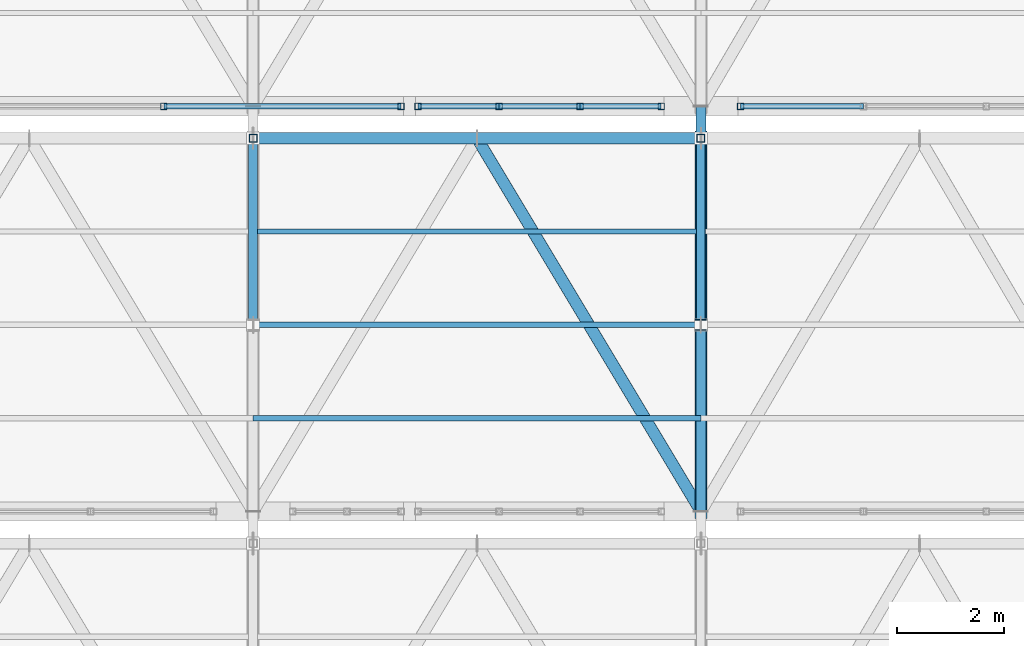
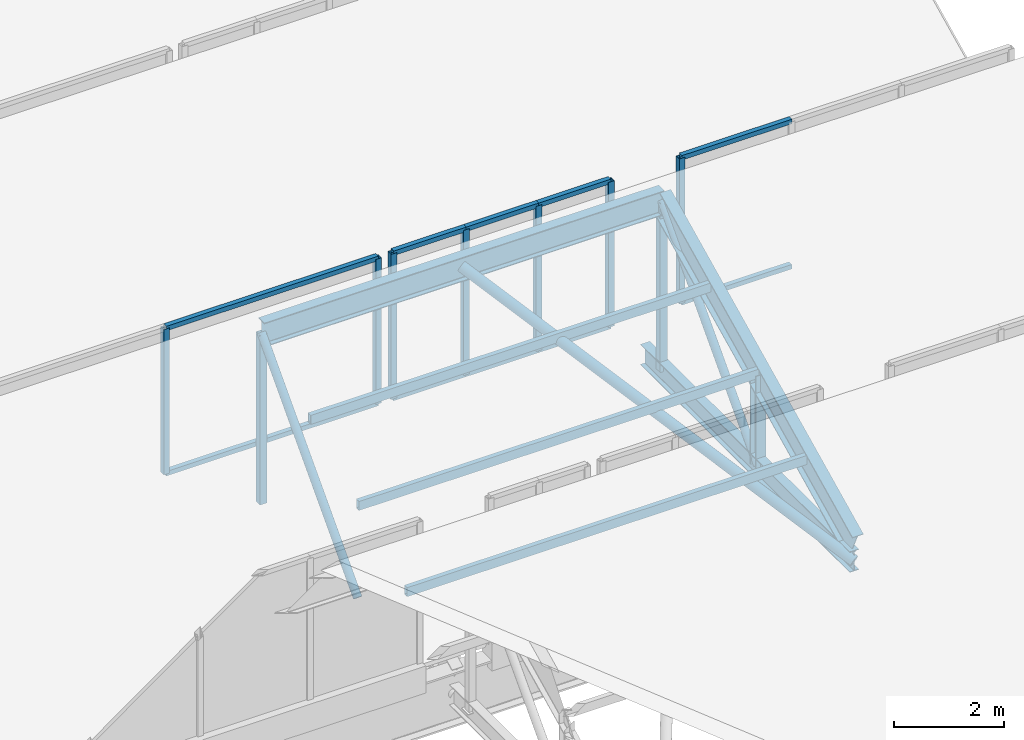
# One storey, part 26 of 57: 29 members, 3 elements without a shape of their own.
"""IFC4 building model written with IfcOpenShell, lengths in metres."""

from ifc_helpers import new_model, si_unit, direction, frame, origin, origin_2d, place, context, subcontext, project, spatial, hollow_rectangle, hollow_circle, i_section, extrude, material, material_profile, profile_set, type_object, element, aggregate, save


model = new_model("IFC4")

# Units and contexts
model_context = context("Model", 3, precision=1e-05, world=origin(), true_north=direction((0.0, 1.0)))
body_context = subcontext(model_context, "Body", "Model", "MODEL_VIEW")
ifc_project = project(units=[si_unit("LENGTHUNIT", "METRE"), si_unit("AREAUNIT", "SQUARE_METRE"), si_unit("VOLUMEUNIT", "CUBIC_METRE"), si_unit("PLANEANGLEUNIT", "RADIAN"), si_unit("MASSUNIT", "GRAM", prefix="KILO")], contexts=[model_context])

# Site, building, storey
site_placement = place(None, origin())
site = spatial("IfcSite", under=ifc_project, at=site_placement, CompositionType="ELEMENT")
building_placement = place(site_placement, origin())
building = spatial("IfcBuilding", under=site, at=building_placement, Name="Zuvorla Pavilion Media Centre", CompositionType="ELEMENT")
storey_placement = place(building_placement, frame((0.0, 0.0, 18.0)))
storey = spatial("IfcBuildingStorey", under=building, at=storey_placement, Name="L04", CompositionType="ELEMENT", Elevation=18.0)

# Curtain wall, members
ifc_material_1 = material(Name="Unitised anodised aluminium and solar glass curtain wall", Category="aluminium")
curtain_wall_type_1 = type_object("IfcCurtainWallType", Name="CW-SYS-95", PredefinedType="USERDEFINED", material=ifc_material_1)
curtain_wall_1_placement = place(storey_placement, origin())
curtain_wall_1 = element("IfcCurtainWall", 1, at=curtain_wall_1_placement, inside=storey, type_object=curtain_wall_type_1, Name="L04 curtain wall CW95 232", ObjectType="CURTAIN WALL", PredefinedType="USERDEFINED")
ifc_material_2 = material(Name="Anodised aluminium 6063-T6", Category="aluminium")
ifc_material_profile_1 = material_profile(ifc_material_2, hollow_rectangle(XDim=0.1201171875, YDim=0.1201171875, WallThickness=0.0048828125, at=origin_2d()), Name="ALU MULL 120x120")
ifc_profile_set_1 = profile_set([ifc_material_profile_1], Name="Anodised aluminium 6063-T6")
member_type_1 = type_object("IfcMemberType", Name="CW-MULL-120", PredefinedType="MULLION", material=ifc_profile_set_1)
member_1_placement = place(storey_placement, frame((140.724365234375, 21.199951171875, 0.0), z_axis=(0.0, 0.0, 1.0), x_axis=(1.0, 0.0, 0.0)))
member_1 = element("IfcMember", 2, at=member_1_placement, type_object=member_type_1, Name="CW95 mullion 3", PredefinedType="MULLION", context=body_context, shape_type="SweptSolid", body=[
    extrude(hollow_rectangle(XDim=0.1201171875, YDim=0.1201171875, WallThickness=0.0048828125, at=origin_2d()), origin(), (0.0, 0.0, 1.0), 3.219970703125),
])
member_2_placement = place(storey_placement, frame((145.17333984375, 21.199951171875, 0.0), z_axis=(0.0, 0.0, 1.0), x_axis=(1.0, 0.0, 0.0)))
member_2 = element("IfcMember", 3, at=member_2_placement, type_object=member_type_1, Name="CW95 mullion 4", PredefinedType="MULLION", context=body_context, shape_type="SweptSolid", body=[
    extrude(hollow_rectangle(XDim=0.1201171875, YDim=0.1201171875, WallThickness=0.0048828125, at=origin_2d()), origin(), (0.0, 0.0, 1.0), 3.219970703125),
])

curtain_wall_type_2 = type_object("IfcCurtainWallType", Name="CW-SYS-94", PredefinedType="USERDEFINED", material=ifc_material_1)
curtain_wall_2_placement = place(storey_placement, origin())
curtain_wall_2 = element("IfcCurtainWall", 4, at=curtain_wall_2_placement, inside=storey, type_object=curtain_wall_type_2, Name="L04 curtain wall CW94 233", ObjectType="CURTAIN WALL", PredefinedType="USERDEFINED")
member_3_placement = place(storey_placement, frame((145.493408203125, 21.199951171875, 0.0), z_axis=(0.0, 0.0, 1.0), x_axis=(1.0, 0.0, 0.0)))
member_3 = element("IfcMember", 5, at=member_3_placement, type_object=member_type_1, Name="CW94 mullion 1", PredefinedType="MULLION", context=body_context, shape_type="SweptSolid", body=[
    extrude(hollow_rectangle(XDim=0.1201171875, YDim=0.1201171875, WallThickness=0.0048828125, at=origin_2d()), origin(), (0.0, 0.0, 1.0), 3.219970703125),
])
member_4_placement = place(storey_placement, frame((147.01416015625, 21.199951171875, 0.0), z_axis=(0.0, 0.0, 1.0), x_axis=(1.0, 0.0, 0.0)))
member_4 = element("IfcMember", 6, at=member_4_placement, type_object=member_type_1, Name="CW94 mullion 2", PredefinedType="MULLION", context=body_context, shape_type="SweptSolid", body=[
    extrude(hollow_rectangle(XDim=0.1201171875, YDim=0.1201171875, WallThickness=0.0048828125, at=origin_2d()), origin(), (0.0, 0.0, 1.0), 3.219970703125),
])
member_5_placement = place(storey_placement, frame((148.534912109375, 21.199951171875, 0.0), z_axis=(0.0, 0.0, 1.0), x_axis=(1.0, 0.0, 0.0)))
member_5 = element("IfcMember", 7, at=member_5_placement, type_object=member_type_1, Name="CW94 mullion 3", PredefinedType="MULLION", context=body_context, shape_type="SweptSolid", body=[
    extrude(hollow_rectangle(XDim=0.1201171875, YDim=0.1201171875, WallThickness=0.0048828125, at=origin_2d()), origin(), (0.0, 0.0, 1.0), 3.219970703125),
])
member_6_placement = place(storey_placement, frame((150.0556640625, 21.199951171875, 0.0), z_axis=(0.0, 0.0, 1.0), x_axis=(1.0, 0.0, 0.0)))
member_6 = element("IfcMember", 8, at=member_6_placement, type_object=member_type_1, Name="CW94 mullion 4", PredefinedType="MULLION", context=body_context, shape_type="SweptSolid", body=[
    extrude(hollow_rectangle(XDim=0.1201171875, YDim=0.1201171875, WallThickness=0.0048828125, at=origin_2d()), origin(), (0.0, 0.0, 1.0), 3.219970703125),
])

# Curtain wall, member
curtain_wall_type_3 = type_object("IfcCurtainWallType", Name="CW-SYS-92", PredefinedType="USERDEFINED", material=ifc_material_1)
curtain_wall_3_placement = place(storey_placement, origin())
curtain_wall_3 = element("IfcCurtainWall", 9, at=curtain_wall_3_placement, inside=storey, type_object=curtain_wall_type_3, Name="L04 curtain wall CW92 234", ObjectType="CURTAIN WALL", PredefinedType="USERDEFINED")
member_7_placement = place(storey_placement, frame((151.544189453125, 21.199951171875, 0.0), z_axis=(0.0, 0.0, 1.0), x_axis=(1.0, 0.0, 0.0)))
member_7 = element("IfcMember", 10, at=member_7_placement, type_object=member_type_1, Name="CW92 mullion 1", PredefinedType="MULLION", context=body_context, shape_type="SweptSolid", body=[
    extrude(hollow_rectangle(XDim=0.1201171875, YDim=0.1201171875, WallThickness=0.0048828125, at=origin_2d()), origin(), (0.0, 0.0, 1.0), 3.219970703125),
])

# Member
ifc_material_profile_2 = material_profile(ifc_material_2, hollow_rectangle(XDim=0.10009765625, YDim=0.10009765625, WallThickness=0.00439453125, at=origin_2d()), Name="ALU TRAN 100x100")
ifc_profile_set_2 = profile_set([ifc_material_profile_2], Name="Anodised aluminium 6063-T6")
member_type_2 = type_object("IfcMemberType", Name="CW-TRAN-100", PredefinedType="USERDEFINED", material=ifc_profile_set_2)
member_8_placement = place(storey_placement, frame((140.724365234375, 21.199951171875, 0.0), z_axis=(1.0, 0.0, 0.0), x_axis=(0.0, 1.0, 0.0)))
member_8 = element("IfcMember", 11, at=member_8_placement, type_object=member_type_2, Name="CW95 transom 3.1", ObjectType="TRANSOM", PredefinedType="USERDEFINED", context=body_context, shape_type="SweptSolid", body=[
    extrude(hollow_rectangle(XDim=0.10009765625, YDim=0.10009765625, WallThickness=0.00439453125, at=origin_2d()), origin(), (0.0, 0.0, 1.0), 4.448974609375),
])

member_9_placement = place(storey_placement, frame((140.724365234375, 21.199951171875, 3.219970703125), z_axis=(1.0, 0.0, 0.0), x_axis=(0.0, 1.0, 0.0)))
member_9 = element("IfcMember", 12, at=member_9_placement, type_object=member_type_2, Name="CW95 transom 3.2", ObjectType="TRANSOM", PredefinedType="USERDEFINED", context=body_context, shape_type="SweptSolid", body=[
    extrude(hollow_rectangle(XDim=0.10009765625, YDim=0.10009765625, WallThickness=0.00439453125, at=origin_2d()), origin(), (0.0, 0.0, 1.0), 4.448974609375),
])

aggregate(curtain_wall_1, [member_1, member_2, member_8, member_9])

member_10_placement = place(storey_placement, frame((145.493408203125, 21.199951171875, 0.0), z_axis=(1.0, 0.0, 0.0), x_axis=(0.0, 1.0, 0.0)))
member_10 = element("IfcMember", 13, at=member_10_placement, type_object=member_type_2, Name="CW94 transom 1.1", ObjectType="TRANSOM", PredefinedType="USERDEFINED", context=body_context, shape_type="SweptSolid", body=[
    extrude(hollow_rectangle(XDim=0.10009765625, YDim=0.10009765625, WallThickness=0.00439453125, at=origin_2d()), origin(), (0.0, 0.0, 1.0), 1.520751953125),
])

member_11_placement = place(storey_placement, frame((145.493408203125, 21.199951171875, 3.219970703125), z_axis=(1.0, 0.0, 0.0), x_axis=(0.0, 1.0, 0.0)))
member_11 = element("IfcMember", 14, at=member_11_placement, type_object=member_type_2, Name="CW94 transom 1.2", ObjectType="TRANSOM", PredefinedType="USERDEFINED", context=body_context, shape_type="SweptSolid", body=[
    extrude(hollow_rectangle(XDim=0.10009765625, YDim=0.10009765625, WallThickness=0.00439453125, at=origin_2d()), origin(), (0.0, 0.0, 1.0), 1.520751953125),
])

member_12_placement = place(storey_placement, frame((147.01416015625, 21.199951171875, 0.0), z_axis=(1.0, 0.0, 0.0), x_axis=(0.0, 1.0, 0.0)))
member_12 = element("IfcMember", 15, at=member_12_placement, type_object=member_type_2, Name="CW94 transom 2.1", ObjectType="TRANSOM", PredefinedType="USERDEFINED", context=body_context, shape_type="SweptSolid", body=[
    extrude(hollow_rectangle(XDim=0.10009765625, YDim=0.10009765625, WallThickness=0.00439453125, at=origin_2d()), origin(), (0.0, 0.0, 1.0), 1.520751953125),
])

member_13_placement = place(storey_placement, frame((147.01416015625, 21.199951171875, 3.219970703125), z_axis=(1.0, 0.0, 0.0), x_axis=(0.0, 1.0, 0.0)))
member_13 = element("IfcMember", 16, at=member_13_placement, type_object=member_type_2, Name="CW94 transom 2.2", ObjectType="TRANSOM", PredefinedType="USERDEFINED", context=body_context, shape_type="SweptSolid", body=[
    extrude(hollow_rectangle(XDim=0.10009765625, YDim=0.10009765625, WallThickness=0.00439453125, at=origin_2d()), origin(), (0.0, 0.0, 1.0), 1.520751953125),
])

member_14_placement = place(storey_placement, frame((148.534912109375, 21.199951171875, 0.0), z_axis=(1.0, 0.0, 0.0), x_axis=(0.0, 1.0, 0.0)))
member_14 = element("IfcMember", 17, at=member_14_placement, type_object=member_type_2, Name="CW94 transom 3.1", ObjectType="TRANSOM", PredefinedType="USERDEFINED", context=body_context, shape_type="SweptSolid", body=[
    extrude(hollow_rectangle(XDim=0.10009765625, YDim=0.10009765625, WallThickness=0.00439453125, at=origin_2d()), origin(), (0.0, 0.0, 1.0), 1.520751953125),
])

member_15_placement = place(storey_placement, frame((148.534912109375, 21.199951171875, 3.219970703125), z_axis=(1.0, 0.0, 0.0), x_axis=(0.0, 1.0, 0.0)))
member_15 = element("IfcMember", 18, at=member_15_placement, type_object=member_type_2, Name="CW94 transom 3.2", ObjectType="TRANSOM", PredefinedType="USERDEFINED", context=body_context, shape_type="SweptSolid", body=[
    extrude(hollow_rectangle(XDim=0.10009765625, YDim=0.10009765625, WallThickness=0.00439453125, at=origin_2d()), origin(), (0.0, 0.0, 1.0), 1.520751953125),
])

aggregate(curtain_wall_2, [member_3, member_4, member_5, member_6, member_10, member_11, member_12, member_13, member_14, member_15])

member_16_placement = place(storey_placement, frame((151.544189453125, 21.199951171875, 0.0), z_axis=(1.0, 0.0, 0.0), x_axis=(0.0, 1.0, 0.0)))
member_16 = element("IfcMember", 19, at=member_16_placement, type_object=member_type_2, Name="CW92 transom 1.1", ObjectType="TRANSOM", PredefinedType="USERDEFINED", context=body_context, shape_type="SweptSolid", body=[
    extrude(hollow_rectangle(XDim=0.10009765625, YDim=0.10009765625, WallThickness=0.00439453125, at=origin_2d()), origin(), (0.0, 0.0, 1.0), 2.303955078125),
])

member_17_placement = place(storey_placement, frame((151.544189453125, 21.199951171875, 3.219970703125), z_axis=(1.0, 0.0, 0.0), x_axis=(0.0, 1.0, 0.0)))
member_17 = element("IfcMember", 20, at=member_17_placement, type_object=member_type_2, Name="CW92 transom 1.2", ObjectType="TRANSOM", PredefinedType="USERDEFINED", context=body_context, shape_type="SweptSolid", body=[
    extrude(hollow_rectangle(XDim=0.10009765625, YDim=0.10009765625, WallThickness=0.00439453125, at=origin_2d()), origin(), (0.0, 0.0, 1.0), 2.303955078125),
])

aggregate(curtain_wall_3, [member_7, member_16, member_17])

# Members
ifc_material_3 = material(Name="Steel S355", Category="steel")
ifc_material_profile_3 = material_profile(ifc_material_3, hollow_circle(Radius=0.084228515625, WallThickness=0.008056640625, at=origin_2d()), Name="CHS 168.3x8")
ifc_profile_set_3 = profile_set([ifc_material_profile_3], Name="Steel S355")
member_type_3 = type_object("IfcMemberType", Name="MEM-BRC-CHS168", PredefinedType="BRACE", material=ifc_profile_set_3)
for number, where, z_axis, x_axis, name in (
    (21, (142.39990234375, 17.10009765625, -0.8798828125), (0.0, 0.681156069412, 0.732138244529), (-1.0, 0.0, 0.0), "L04 diagonal brace TB03 576"),
    (22, (150.800048828125, 17.10009765625, -0.8798828125), (0.0, 0.681156069412, 0.732138244529), (-1.0, 0.0, 0.0), "L04 diagonal brace TB03 581"),
):
    element("IfcMember", number, at=place(storey_placement, frame(where, z_axis=z_axis, x_axis=x_axis)), inside=storey, type_object=member_type_3, Name=name, PredefinedType="BRACE", context=body_context, shape_type="SweptSolid", body=[
        extrude(hollow_circle(Radius=0.084228515625, WallThickness=0.008056640625, at=origin_2d()), origin(), (0.0, 0.0, 1.0), 5.138427734375),
    ])
ifc_material_profile_4 = material_profile(ifc_material_3, hollow_circle(Radius=0.109619140625, WallThickness=0.010009765625, at=origin_2d()), Name="CHS 219.1x10")
ifc_profile_set_4 = profile_set([ifc_material_profile_4], Name="Steel S355")
member_type_4 = type_object("IfcMemberType", Name="MEM-BRC-CHS219", PredefinedType="BRACE", material=ifc_profile_set_4)
member_18_placement = place(storey_placement, frame((146.60009765625, 20.60009765625, 2.882080078125), z_axis=(0.46726169892, -0.778778552081, -0.418533716135), x_axis=(0.857495564561, 0.514491357322, 0.0)))
element("IfcMember", 23, at=member_18_placement, inside=storey, type_object=member_type_4, Name="L04 diagonal brace TB02 608", PredefinedType="BRACE", context=body_context, shape_type="SweptSolid", body=[
    extrude(hollow_circle(Radius=0.109619140625, WallThickness=0.010009765625, at=origin_2d()), origin(), (0.0, 0.0, 1.0), 8.988525390625),
])
ifc_material_profile_5 = material_profile(ifc_material_3, i_section(OverallWidth=0.19140625, OverallDepth=0.4599609375, WebThickness=0.010009765625, FlangeThickness=0.01611328125, FilletRadius=0.01025390625, at=origin_2d()), Name="UB 457x191x82")
ifc_profile_set_5 = profile_set([ifc_material_profile_5], Name="Steel S355")
member_type_5 = type_object("IfcMemberType", Name="MEM-CHD-UB457", PredefinedType="CHORD", material=ifc_profile_set_5)
member_19_placement = place(storey_placement, frame((150.800048828125, 13.60009765625, -0.8798828125), z_axis=(0.0, 1.0, 0.0), x_axis=(-1.0, 0.0, 0.0)))
element("IfcMember", 24, at=member_19_placement, inside=storey, type_object=member_type_5, Name="L04 chord TC03 578", PredefinedType="CHORD", context=body_context, shape_type="SweptSolid", body=[
    extrude(i_section(OverallWidth=0.19140625, OverallDepth=0.4599609375, WebThickness=0.010009765625, FlangeThickness=0.01611328125, FilletRadius=0.01025390625, at=origin_2d()), origin(), (0.0, 0.0, 1.0), 7.599853515625),
])
ifc_material_profile_6 = material_profile(ifc_material_3, i_section(OverallWidth=0.2099609375, OverallDepth=0.53662109375, WebThickness=0.0107421875, FlangeThickness=0.017333984375, FilletRadius=0.0126953125, at=origin_2d()), Name="UB 533x210x101")
ifc_profile_set_6 = profile_set([ifc_material_profile_6], Name="Steel S355")
member_type_6 = type_object("IfcMemberType", Name="MEM-CHD-UB533", PredefinedType="CHORD", material=ifc_profile_set_6)
member_20_placement = place(storey_placement, frame((142.39990234375, 20.60009765625, 2.882080078125), z_axis=(1.0, 0.0, 0.0), x_axis=(0.0, 1.0, 0.0)))
element("IfcMember", 25, at=member_20_placement, inside=storey, type_object=member_type_6, Name="L04 chord TC02 606", PredefinedType="CHORD", context=body_context, shape_type="SweptSolid", body=[
    extrude(i_section(OverallWidth=0.2099609375, OverallDepth=0.53662109375, WebThickness=0.0107421875, FlangeThickness=0.017333984375, FilletRadius=0.0126953125, at=origin_2d()), origin(), (0.0, 0.0, 1.0), 8.400146484375),
])
ifc_material_profile_7 = material_profile(ifc_material_3, i_section(OverallWidth=0.22900390625, OverallDepth=0.6123046875, WebThickness=0.011962890625, FlangeThickness=0.01953125, FilletRadius=0.0126953125, at=origin_2d()), Name="UB 610x229x125")
ifc_profile_set_7 = profile_set([ifc_material_profile_7], Name="Steel S355")
member_type_7 = type_object("IfcMemberType", Name="MEM-CHD-UB610", PredefinedType="CHORD", material=ifc_profile_set_7)
member_21_placement = place(storey_placement, frame((150.800048828125, 13.60009765625, -0.517822265625), z_axis=(0.0, 0.899513090263, 0.436893809117), x_axis=(-1.0, 0.0, 0.0)))
element("IfcMember", 26, at=member_21_placement, inside=storey, type_object=member_type_7, Name="L04 chord TC01 579", PredefinedType="CHORD", context=body_context, shape_type="SweptSolid", body=[
    extrude(i_section(OverallWidth=0.22900390625, OverallDepth=0.6123046875, WebThickness=0.011962890625, FlangeThickness=0.01953125, FilletRadius=0.0126953125, at=origin_2d()), origin(), (0.0, 0.0, 1.0), 7.781982421875),
])
ifc_material_profile_8 = material_profile(ifc_material_3, hollow_rectangle(XDim=0.10009765625, YDim=0.199951171875, WallThickness=0.008056640625, at=origin_2d()), Name="RHS 200x100x8")
ifc_profile_set_8 = profile_set([ifc_material_profile_8], Name="Steel S355")
member_type_8 = type_object("IfcMemberType", Name="MEM-PUR-RHS200", PredefinedType="PURLIN", material=ifc_profile_set_8)
for number, where, z_axis, x_axis, name in (
    (27, (142.39990234375, 15.35009765625, 0.33203125), (1.0, 0.0, 0.0), (0.0, 1.0, 0.0), "L04 purlin PR01 609"),
    (28, (142.39990234375, 17.10009765625, 1.18212890625), (1.0, 0.0, 0.0), (0.0, 1.0, 0.0), "L04 purlin PR01 610"),
    (29, (142.39990234375, 18.85009765625, 2.031982421875), (1.0, 0.0, 0.0), (0.0, 1.0, 0.0), "L04 purlin PR01 611"),
):
    element("IfcMember", number, at=place(storey_placement, frame(where, z_axis=z_axis, x_axis=x_axis)), inside=storey, type_object=member_type_8, Name=name, PredefinedType="PURLIN", context=body_context, shape_type="SweptSolid", body=[
        extrude(hollow_rectangle(XDim=0.10009765625, YDim=0.199951171875, WallThickness=0.008056640625, at=origin_2d()), origin(), (0.0, 0.0, 1.0), 8.400146484375),
    ])
ifc_material_profile_9 = material_profile(ifc_material_3, hollow_rectangle(XDim=0.14990234375, YDim=0.14990234375, WallThickness=0.008056640625, at=origin_2d()), Name="SHS 150x150x8")
ifc_profile_set_9 = profile_set([ifc_material_profile_9], Name="Steel S355")
member_type_9 = type_object("IfcMemberType", Name="MEM-STR-SHS150", PredefinedType="STRUT", material=ifc_profile_set_9)
for number, where, z_axis, x_axis, name in (
    (30, (142.39990234375, 20.60009765625, -0.8798828125), (0.0, 0.0, 1.0), (1.0, 0.0, 0.0), "L04 vertical strut TS01 575"),
    (31, (150.800048828125, 20.60009765625, -0.8798828125), (0.0, 0.0, 1.0), (1.0, 0.0, 0.0), "L04 vertical strut TS01 580"),
):
    element("IfcMember", number, at=place(storey_placement, frame(where, z_axis=z_axis, x_axis=x_axis)), inside=storey, type_object=member_type_9, Name=name, PredefinedType="STRUT", context=body_context, shape_type="SweptSolid", body=[
        extrude(hollow_rectangle(XDim=0.14990234375, YDim=0.14990234375, WallThickness=0.008056640625, at=origin_2d()), origin(), (0.0, 0.0, 1.0), 3.761962890625),
    ])
ifc_material_profile_10 = material_profile(ifc_material_3, i_section(OverallWidth=0.205810546875, OverallDepth=0.209716796875, WebThickness=0.009521484375, FlangeThickness=0.01416015625, FilletRadius=0.01025390625, at=origin_2d()), Name="UC 203x203x60")
ifc_profile_set_10 = profile_set([ifc_material_profile_10], Name="Steel S355")
member_type_10 = type_object("IfcMemberType", Name="MEM-STR-UC203", PredefinedType="STRUT", material=ifc_profile_set_10)
member_22_placement = place(storey_placement, frame((150.800048828125, 17.10009765625, -0.8798828125), z_axis=(0.0, 0.0, 1.0), x_axis=(1.0, 0.0, 0.0)))
element("IfcMember", 32, at=member_22_placement, inside=storey, type_object=member_type_10, Name="L04 vertical strut TS02 582", PredefinedType="STRUT", context=body_context, shape_type="SweptSolid", body=[
    extrude(i_section(OverallWidth=0.205810546875, OverallDepth=0.209716796875, WebThickness=0.009521484375, FlangeThickness=0.01416015625, FilletRadius=0.01025390625, at=origin_2d()), origin(), (0.0, 0.0, 1.0), 2.06201171875),
])

save(model, "model.ifc")
